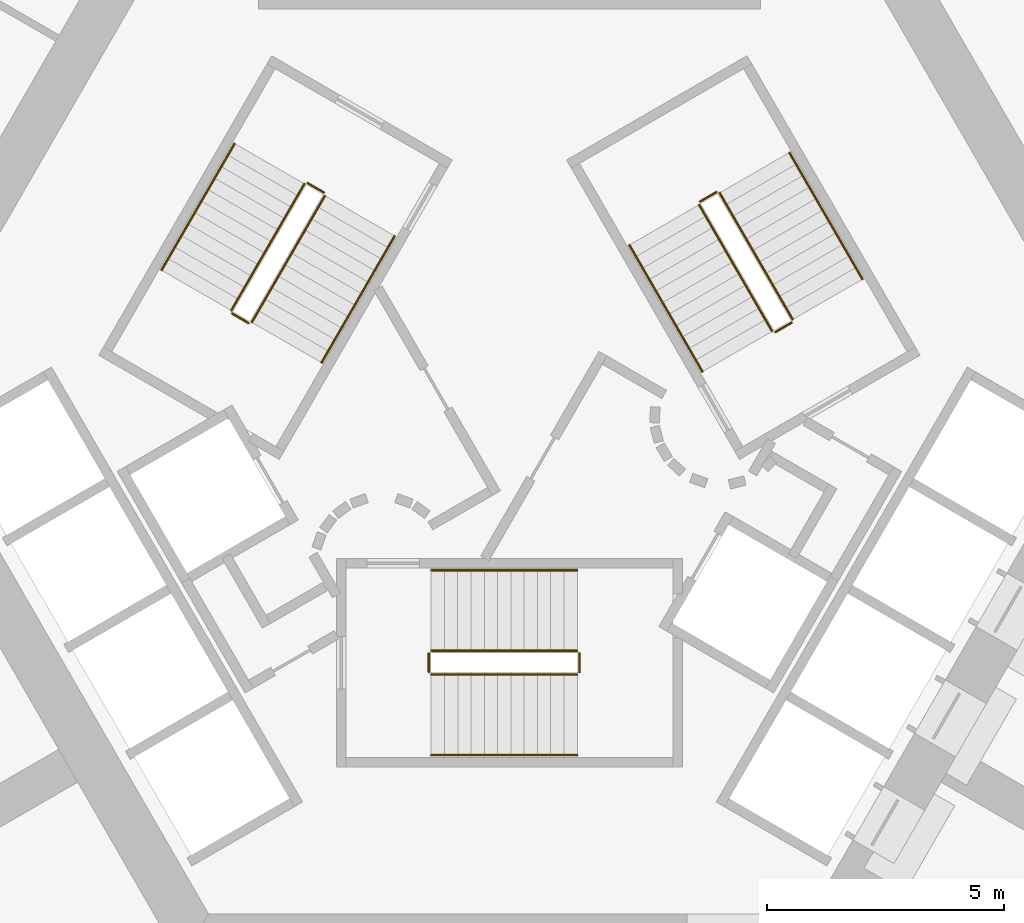
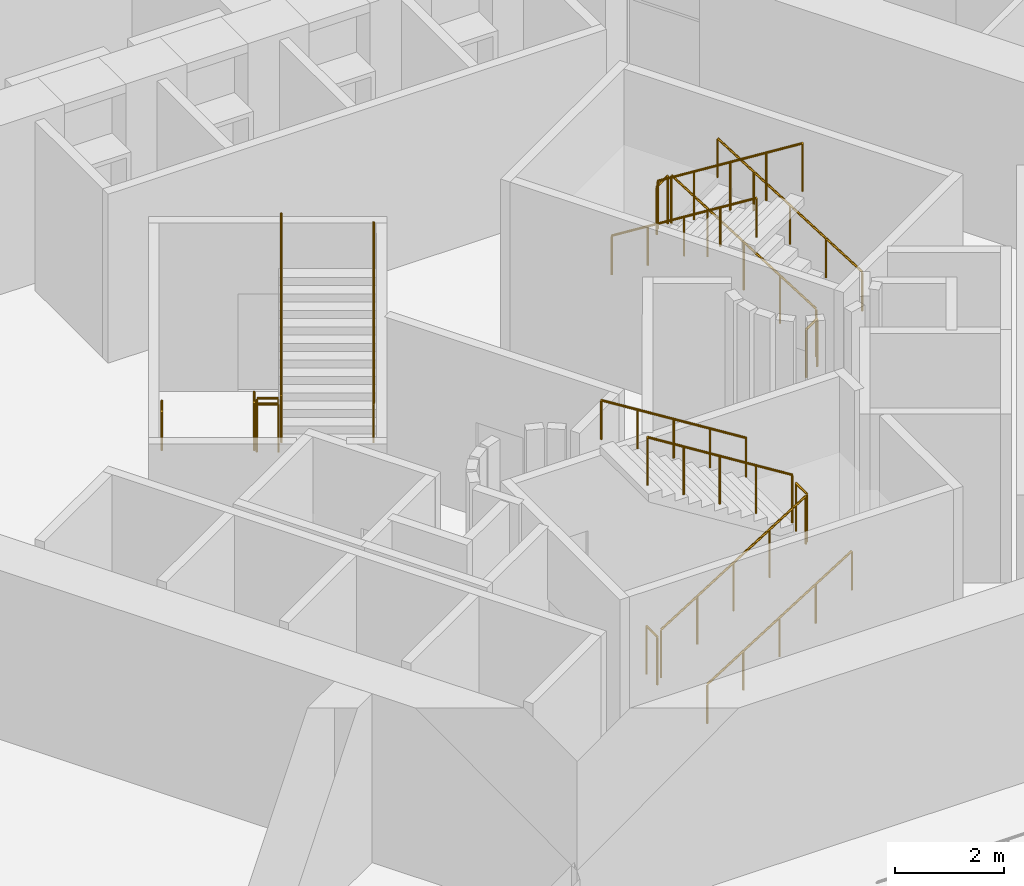
# One storey, part 15 of 15: 18 railings.
"""IFC4 building model written with IfcOpenShell, lengths in metres."""

from ifc_helpers import new_model, si_unit, direction, frame, origin, origin_2d, place, context, subcontext, project, spatial, circle, extrude, material, type_object, element, save


model = new_model("IFC4")

# Units and contexts
model_context = context("Model", 3, precision=1e-05, world=origin(), true_north=direction((0.0, 1.0)))
body_context = subcontext(model_context, "Body", "Model", "MODEL_VIEW")
ifc_project = project(units=[si_unit("LENGTHUNIT", "METRE"), si_unit("AREAUNIT", "SQUARE_METRE"), si_unit("VOLUMEUNIT", "CUBIC_METRE"), si_unit("PLANEANGLEUNIT", "RADIAN"), si_unit("MASSUNIT", "GRAM", prefix="KILO")], contexts=[model_context])

# Site, building, storey
site_placement = place(None, origin())
site = spatial("IfcSite", under=ifc_project, at=site_placement, CompositionType="ELEMENT")
building_placement = place(site_placement, origin())
building = spatial("IfcBuilding", under=site, at=building_placement, Name="Entoto Arch Interchange Tower", CompositionType="ELEMENT")
storey_placement = place(building_placement, frame((0.0, 0.0, 39.199951171875)))
storey = spatial("IfcBuildingStorey", under=building, at=storey_placement, Name="L07", CompositionType="ELEMENT", Elevation=39.199951171875)

# Railings
ifc_material = material(Name="Stainless steel 1.4301", Category="steel")
railing_type_1 = type_object("IfcRailingType", Name="STAIR GUARD 1100 STEEL", PredefinedType="GUARDRAIL", material=ifc_material)
railing_1_placement = place(storey_placement, frame((-1.64990234375, -3.449951171875, 0.175048828125)))
element("IfcRailing", 1, at=railing_1_placement, inside=storey, type_object=railing_type_1, Name="L07 ST-S stair guard 1", PredefinedType="GUARDRAIL", context=body_context, shape_type="SweptSolid", body=[
    extrude(circle(Radius=0.02392578125, at=origin_2d()), frame((0.0, 0.0, 1.076171875), z_axis=(0.847979421464, 0.0, 0.530029150871), x_axis=(0.0, 1.0, 0.0)), (0.0, 0.0, 1.0), 3.632080078125),
    extrude(circle(Radius=0.02099609375, at=origin_2d()), origin(), (0.0, 0.0, 1.0), 1.052001953125),
    extrude(circle(Radius=0.02099609375, at=origin_2d()), frame((0.77001953125, 0.0, 0.481201171875)), (0.0, 0.0, 1.0), 1.052001953125),
    extrude(circle(Radius=0.02099609375, at=origin_2d()), frame((1.5400390625, 0.0, 0.96240234375)), (0.0, 0.0, 1.0), 1.052001953125),
    extrude(circle(Radius=0.02099609375, at=origin_2d()), frame((2.309814453125, 0.0, 1.44384765625)), (0.0, 0.0, 1.0), 1.052001953125),
    extrude(circle(Radius=0.02099609375, at=origin_2d()), frame((3.079833984375, 0.0, 1.925048828125)), (0.0, 0.0, 1.0), 1.052001953125),
])
railing_2_placement = place(storey_placement, frame((1.47998046875, -3.39990234375, 2.10009765625)))
element("IfcRailing", 2, at=railing_2_placement, inside=storey, type_object=railing_type_1, Name="L07 ST-S stair guard 2", PredefinedType="GUARDRAIL", context=body_context, shape_type="SweptSolid", body=[
    extrude(circle(Radius=0.02392578125, at=origin_2d()), frame((0.0, 0.0, 1.076171875), z_axis=(0.0, 1.0, 0.0), x_axis=(-1.0, 0.0, 0.0)), (0.0, 0.0, 1.0), 0.39990234375),
    extrude(circle(Radius=0.02099609375, at=origin_2d()), origin(), (0.0, 0.0, 1.0), 1.052001953125),
    extrude(circle(Radius=0.02099609375, at=origin_2d()), frame((0.0, 0.39990234375, 0.0)), (0.0, 0.0, 1.0), 1.052001953125),
])
railing_3_placement = place(storey_placement, frame((1.429931640625, -2.949951171875, 2.275146484375)))
element("IfcRailing", 3, at=railing_3_placement, inside=storey, type_object=railing_type_1, Name="L07 ST-S stair guard 3", PredefinedType="GUARDRAIL", context=body_context, shape_type="SweptSolid", body=[
    extrude(circle(Radius=0.02392578125, at=origin_2d()), frame((0.0, 0.0, 1.076171875), z_axis=(-0.848009633417, 0.0, 0.529980812513), x_axis=(0.0, -1.0, 0.0)), (0.0, 0.0, 1.0), 3.6318359375),
    extrude(circle(Radius=0.02099609375, at=origin_2d()), origin(), (0.0, 0.0, 1.0), 1.052001953125),
    extrude(circle(Radius=0.02099609375, at=origin_2d()), frame((-0.77001953125, 0.0, 0.481201171875)), (0.0, 0.0, 1.0), 1.052001953125),
    extrude(circle(Radius=0.02099609375, at=origin_2d()), frame((-1.5400390625, 0.0, 0.96240234375)), (0.0, 0.0, 1.0), 1.052001953125),
    extrude(circle(Radius=0.02099609375, at=origin_2d()), frame((-2.309814453125, 0.0, 1.443603515625)), (0.0, 0.0, 1.0), 1.052001953125),
    extrude(circle(Radius=0.02099609375, at=origin_2d()), frame((-3.079833984375, 0.0, 1.9248046875)), (0.0, 0.0, 1.0), 1.052001953125),
])
railing_4_placement = place(storey_placement, frame((-1.699951171875, -3.39990234375, 0.0)))
element("IfcRailing", 4, at=railing_4_placement, inside=storey, type_object=railing_type_1, Name="L07 ST-S stair guard 4", PredefinedType="GUARDRAIL", context=body_context, shape_type="SweptSolid", body=[
    extrude(circle(Radius=0.02392578125, at=origin_2d()), frame((0.0, 0.0, 1.076171875), z_axis=(0.0, 1.0, 0.0), x_axis=(-1.0, 0.0, 0.0)), (0.0, 0.0, 1.0), 0.39990234375),
    extrude(circle(Radius=0.02099609375, at=origin_2d()), origin(), (0.0, 0.0, 1.0), 1.052001953125),
    extrude(circle(Radius=0.02099609375, at=origin_2d()), frame((0.0, 0.39990234375, 0.0)), (0.0, 0.0, 1.0), 1.052001953125),
])
railing_5_placement = place(storey_placement, frame((5.977783203125, 4.046142578125, 0.175048828125)))
element("IfcRailing", 5, at=railing_5_placement, inside=storey, type_object=railing_type_1, Name="L07 ST-NE stair guard 1", PredefinedType="GUARDRAIL", context=body_context, shape_type="SweptSolid", body=[
    extrude(circle(Radius=0.02392578125, at=origin_2d()), frame((0.0, 0.0, 1.076171875), z_axis=(-0.424015404183, 0.734364028329, 0.530019255228), x_axis=(-0.866010015463, -0.500026652407, 0.0)), (0.0, 0.0, 1.0), 3.632080078125),
    extrude(circle(Radius=0.02099609375, at=origin_2d()), origin(), (0.0, 0.0, 1.0), 1.052001953125),
    extrude(circle(Radius=0.02099609375, at=origin_2d()), frame((-0.385009765625, 0.666748046875, 0.481201171875)), (0.0, 0.0, 1.0), 1.052001953125),
    extrude(circle(Radius=0.02099609375, at=origin_2d()), frame((-0.77001953125, 1.33349609375, 0.96240234375)), (0.0, 0.0, 1.0), 1.052001953125),
    extrude(circle(Radius=0.02099609375, at=origin_2d()), frame((-1.155029296875, 2.00048828125, 1.44384765625)), (0.0, 0.0, 1.0), 1.052001953125),
    extrude(circle(Radius=0.02099609375, at=origin_2d()), frame((-1.5400390625, 2.667236328125, 1.925048828125)), (0.0, 0.0, 1.0), 1.052001953125),
])
railing_6_placement = place(storey_placement, frame((4.36962890625, 6.731689453125, 2.10009765625)))
element("IfcRailing", 6, at=railing_6_placement, inside=storey, type_object=railing_type_1, Name="L07 ST-NE stair guard 2", PredefinedType="GUARDRAIL", context=body_context, shape_type="SweptSolid", body=[
    extrude(circle(Radius=0.02392578125, at=origin_2d()), frame((0.0, 0.0, 1.076171875), z_axis=(-0.866094119867, -0.499880961361, 0.0), x_axis=(0.499880961361, -0.866094119867, 0.0)), (0.0, 0.0, 1.0), 0.39990234375),
    extrude(circle(Radius=0.02099609375, at=origin_2d()), origin(), (0.0, 0.0, 1.0), 1.052001953125),
    extrude(circle(Radius=0.02099609375, at=origin_2d()), frame((-0.346435546875, -0.199951171875, 0.0)), (0.0, 0.0, 1.0), 1.052001953125),
])
railing_7_placement = place(storey_placement, frame((4.0048828125, 6.46337890625, 2.275146484375)))
element("IfcRailing", 7, at=railing_7_placement, inside=storey, type_object=railing_type_1, Name="L07 ST-NE stair guard 3", PredefinedType="GUARDRAIL", context=body_context, shape_type="SweptSolid", body=[
    extrude(circle(Radius=0.02392578125, at=origin_2d()), frame((0.0, 0.0, 1.076171875), z_axis=(0.42403051051, -0.734390191396, 0.529970917068), x_axis=(0.866010015463, 0.500026652407, 0.0)), (0.0, 0.0, 1.0), 3.6318359375),
    extrude(circle(Radius=0.02099609375, at=origin_2d()), origin(), (0.0, 0.0, 1.0), 1.052001953125),
    extrude(circle(Radius=0.02099609375, at=origin_2d()), frame((0.385009765625, -0.666748046875, 0.481201171875)), (0.0, 0.0, 1.0), 1.052001953125),
    extrude(circle(Radius=0.02099609375, at=origin_2d()), frame((0.77001953125, -1.33349609375, 0.96240234375)), (0.0, 0.0, 1.0), 1.052001953125),
    extrude(circle(Radius=0.02099609375, at=origin_2d()), frame((1.155029296875, -2.00048828125, 1.443603515625)), (0.0, 0.0, 1.0), 1.052001953125),
    extrude(circle(Radius=0.02099609375, at=origin_2d()), frame((1.5400390625, -2.667236328125, 1.9248046875)), (0.0, 0.0, 1.0), 1.052001953125),
])
railing_8_placement = place(storey_placement, frame((5.95947265625, 3.977783203125, 0.0)))
element("IfcRailing", 8, at=railing_8_placement, inside=storey, type_object=railing_type_1, Name="L07 ST-NE stair guard 4", PredefinedType="GUARDRAIL", context=body_context, shape_type="SweptSolid", body=[
    extrude(circle(Radius=0.02392578125, at=origin_2d()), frame((0.0, 0.0, 1.076171875), z_axis=(-0.866094119867, -0.499880961361, 0.0), x_axis=(0.499880961361, -0.866094119867, 0.0)), (0.0, 0.0, 1.0), 0.39990234375),
    extrude(circle(Radius=0.02099609375, at=origin_2d()), origin(), (0.0, 0.0, 1.0), 1.052001953125),
    extrude(circle(Radius=0.02099609375, at=origin_2d()), frame((-0.346435546875, -0.199951171875, 0.0)), (0.0, 0.0, 1.0), 1.052001953125),
])
railing_9_placement = place(storey_placement, frame((-4.327880859375, 6.904052734375, 0.175048828125)))
element("IfcRailing", 9, at=railing_9_placement, inside=storey, type_object=railing_type_1, Name="L07 ST-NW stair guard 1", PredefinedType="GUARDRAIL", context=body_context, shape_type="SweptSolid", body=[
    extrude(circle(Radius=0.02392578125, at=origin_2d()), frame((0.0, 0.0, 1.076171875), z_axis=(-0.423994474112, -0.734394994316, 0.52999309264), x_axis=(0.866029832698, -0.499992328818, 0.0)), (0.0, 0.0, 1.0), 3.63232421875),
    extrude(circle(Radius=0.02099609375, at=origin_2d()), origin(), (0.0, 0.0, 1.0), 1.052001953125),
    extrude(circle(Radius=0.02099609375, at=origin_2d()), frame((-0.385009765625, -0.6669921875, 0.481201171875)), (0.0, 0.0, 1.0), 1.052001953125),
    extrude(circle(Radius=0.02099609375, at=origin_2d()), frame((-0.77001953125, -1.333740234375, 0.96240234375)), (0.0, 0.0, 1.0), 1.052001953125),
    extrude(circle(Radius=0.02099609375, at=origin_2d()), frame((-1.155029296875, -2.00048828125, 1.44384765625)), (0.0, 0.0, 1.0), 1.052001953125),
    extrude(circle(Radius=0.02099609375, at=origin_2d()), frame((-1.5400390625, -2.66748046875, 1.925048828125)), (0.0, 0.0, 1.0), 1.052001953125),
])
railing_10_placement = place(storey_placement, frame((-5.849609375, 4.168212890625, 2.10009765625)))
element("IfcRailing", 10, at=railing_10_placement, inside=storey, type_object=railing_type_1, Name="L07 ST-NW stair guard 2", PredefinedType="GUARDRAIL", context=body_context, shape_type="SweptSolid", body=[
    extrude(circle(Radius=0.02392578125, at=origin_2d()), frame((0.0, 0.0, 1.076171875), z_axis=(0.866094119867, -0.499880961361, 0.0), x_axis=(0.499880961361, 0.866094119867, 0.0)), (0.0, 0.0, 1.0), 0.39990234375),
    extrude(circle(Radius=0.02099609375, at=origin_2d()), origin(), (0.0, 0.0, 1.0), 1.052001953125),
    extrude(circle(Radius=0.02099609375, at=origin_2d()), frame((0.346435546875, -0.199951171875, 0.0)), (0.0, 0.0, 1.0), 1.052001953125),
])
railing_11_placement = place(storey_placement, frame((-5.434814453125, 3.986572265625, 2.275146484375)))
element("IfcRailing", 11, at=railing_11_placement, inside=storey, type_object=railing_type_1, Name="L07 ST-NW stair guard 3", PredefinedType="GUARDRAIL", context=body_context, shape_type="SweptSolid", body=[
    extrude(circle(Radius=0.02392578125, at=origin_2d()), frame((0.0, 0.0, 1.076171875), z_axis=(0.424009578203, 0.734421155904, 0.529944755001), x_axis=(-0.866029832698, 0.499992328818, 0.0)), (0.0, 0.0, 1.0), 3.632080078125),
    extrude(circle(Radius=0.02099609375, at=origin_2d()), origin(), (0.0, 0.0, 1.0), 1.052001953125),
    extrude(circle(Radius=0.02099609375, at=origin_2d()), frame((0.385009765625, 0.6669921875, 0.481201171875)), (0.0, 0.0, 1.0), 1.052001953125),
    extrude(circle(Radius=0.02099609375, at=origin_2d()), frame((0.77001953125, 1.333740234375, 0.96240234375)), (0.0, 0.0, 1.0), 1.052001953125),
    extrude(circle(Radius=0.02099609375, at=origin_2d()), frame((1.155029296875, 2.00048828125, 1.443603515625)), (0.0, 0.0, 1.0), 1.052001953125),
    extrude(circle(Radius=0.02099609375, at=origin_2d()), frame((1.5400390625, 2.66748046875, 1.9248046875)), (0.0, 0.0, 1.0), 1.052001953125),
])
railing_12_placement = place(storey_placement, frame((-4.259521484375, 6.92236328125, 0.0)))
element("IfcRailing", 12, at=railing_12_placement, inside=storey, type_object=railing_type_1, Name="L07 ST-NW stair guard 4", PredefinedType="GUARDRAIL", context=body_context, shape_type="SweptSolid", body=[
    extrude(circle(Radius=0.02392578125, at=origin_2d()), frame((0.0, 0.0, 1.076171875), z_axis=(0.865829829939, -0.500338590944, 0.0), x_axis=(0.500338590944, 0.865829829939, 0.0)), (0.0, 0.0, 1.0), 0.400146484375),
    extrude(circle(Radius=0.02099609375, at=origin_2d()), origin(), (0.0, 0.0, 1.0), 1.052001953125),
    extrude(circle(Radius=0.02099609375, at=origin_2d()), frame((0.346435546875, -0.2001953125, 0.0)), (0.0, 0.0, 1.0), 1.052001953125),
])
railing_type_2 = type_object("IfcRailingType", Name="STAIR HANDRAIL 900 STEEL", PredefinedType="HANDRAIL", material=ifc_material)
railing_13_placement = place(storey_placement, frame((-1.64990234375, -5.14990234375, 0.175048828125)))
element("IfcRailing", 13, at=railing_13_placement, inside=storey, type_object=railing_type_2, Name="L07 ST-S stair handrail 1", PredefinedType="HANDRAIL", context=body_context, shape_type="SweptSolid", body=[
    extrude(circle(Radius=0.02392578125, at=origin_2d()), frame((0.0, 0.0, 0.8759765625), z_axis=(0.847979421464, 0.0, 0.530029150871), x_axis=(0.0, 1.0, 0.0)), (0.0, 0.0, 1.0), 3.632080078125),
    extrude(circle(Radius=0.02099609375, at=origin_2d()), origin(), (0.0, 0.0, 1.0), 0.851806640625),
    extrude(circle(Radius=0.02099609375, at=origin_2d()), frame((0.77001953125, 0.0, 0.481201171875)), (0.0, 0.0, 1.0), 0.851806640625),
    extrude(circle(Radius=0.02099609375, at=origin_2d()), frame((1.5400390625, 0.0, 0.96240234375)), (0.0, 0.0, 1.0), 0.851806640625),
    extrude(circle(Radius=0.02099609375, at=origin_2d()), frame((2.309814453125, 0.0, 1.44384765625)), (0.0, 0.0, 1.0), 0.851806640625),
    extrude(circle(Radius=0.02099609375, at=origin_2d()), frame((3.079833984375, 0.0, 1.925048828125)), (0.0, 0.0, 1.0), 0.851806640625),
])
railing_14_placement = place(storey_placement, frame((1.429931640625, -1.25, 2.275146484375)))
element("IfcRailing", 14, at=railing_14_placement, inside=storey, type_object=railing_type_2, Name="L07 ST-S stair handrail 2", PredefinedType="HANDRAIL", context=body_context, shape_type="SweptSolid", body=[
    extrude(circle(Radius=0.02392578125, at=origin_2d()), frame((0.0, 0.0, 0.8759765625), z_axis=(-0.848009633417, 0.0, 0.529980812513), x_axis=(0.0, -1.0, 0.0)), (0.0, 0.0, 1.0), 3.6318359375),
    extrude(circle(Radius=0.02099609375, at=origin_2d()), origin(), (0.0, 0.0, 1.0), 0.851806640625),
    extrude(circle(Radius=0.02099609375, at=origin_2d()), frame((-0.77001953125, 0.0, 0.481201171875)), (0.0, 0.0, 1.0), 0.851806640625),
    extrude(circle(Radius=0.02099609375, at=origin_2d()), frame((-1.5400390625, 0.0, 0.96240234375)), (0.0, 0.0, 1.0), 0.851806640625),
    extrude(circle(Radius=0.02099609375, at=origin_2d()), frame((-2.309814453125, 0.0, 1.443603515625)), (0.0, 0.0, 1.0), 0.851806640625),
    extrude(circle(Radius=0.02099609375, at=origin_2d()), frame((-3.079833984375, 0.0, 1.9248046875)), (0.0, 0.0, 1.0), 0.851806640625),
])
railing_15_placement = place(storey_placement, frame((7.4501953125, 4.89599609375, 0.175048828125)))
element("IfcRailing", 15, at=railing_15_placement, inside=storey, type_object=railing_type_2, Name="L07 ST-NE stair handrail 1", PredefinedType="HANDRAIL", context=body_context, shape_type="SweptSolid", body=[
    extrude(circle(Radius=0.02392578125, at=origin_2d()), frame((0.0, 0.0, 0.8759765625), z_axis=(-0.423994474112, 0.734394994316, 0.52999309264), x_axis=(-0.866029832698, -0.499992328818, 0.0)), (0.0, 0.0, 1.0), 3.63232421875),
    extrude(circle(Radius=0.02099609375, at=origin_2d()), origin(), (0.0, 0.0, 1.0), 0.851806640625),
    extrude(circle(Radius=0.02099609375, at=origin_2d()), frame((-0.385009765625, 0.6669921875, 0.481201171875)), (0.0, 0.0, 1.0), 0.851806640625),
    extrude(circle(Radius=0.02099609375, at=origin_2d()), frame((-0.77001953125, 1.333740234375, 0.96240234375)), (0.0, 0.0, 1.0), 0.851806640625),
    extrude(circle(Radius=0.02099609375, at=origin_2d()), frame((-1.155029296875, 2.00048828125, 1.44384765625)), (0.0, 0.0, 1.0), 0.851806640625),
    extrude(circle(Radius=0.02099609375, at=origin_2d()), frame((-1.5400390625, 2.66748046875, 1.925048828125)), (0.0, 0.0, 1.0), 0.851806640625),
])
railing_16_placement = place(storey_placement, frame((2.53271484375, 5.613525390625, 2.275146484375)))
element("IfcRailing", 16, at=railing_16_placement, inside=storey, type_object=railing_type_2, Name="L07 ST-NE stair handrail 2", PredefinedType="HANDRAIL", context=body_context, shape_type="SweptSolid", body=[
    extrude(circle(Radius=0.02392578125, at=origin_2d()), frame((0.0, 0.0, 0.8759765625), z_axis=(0.423954442778, -0.734442086855, 0.52995985839), x_axis=(0.866064153644, 0.499932877268, 0.0)), (0.0, 0.0, 1.0), 3.632080078125),
    extrude(circle(Radius=0.02099609375, at=origin_2d()), origin(), (0.0, 0.0, 1.0), 0.851806640625),
    extrude(circle(Radius=0.02099609375, at=origin_2d()), frame((0.385009765625, -0.6669921875, 0.481201171875)), (0.0, 0.0, 1.0), 0.851806640625),
    extrude(circle(Radius=0.02099609375, at=origin_2d()), frame((0.77001953125, -1.333740234375, 0.96240234375)), (0.0, 0.0, 1.0), 0.851806640625),
    extrude(circle(Radius=0.02099609375, at=origin_2d()), frame((1.15478515625, -2.00048828125, 1.443603515625)), (0.0, 0.0, 1.0), 0.851806640625),
    extrude(circle(Radius=0.02099609375, at=origin_2d()), frame((1.539794921875, -2.66748046875, 1.9248046875)), (0.0, 0.0, 1.0), 0.851806640625),
])
railing_17_placement = place(storey_placement, frame((-5.800048828125, 7.75390625, 0.175048828125)))
element("IfcRailing", 17, at=railing_17_placement, inside=storey, type_object=railing_type_2, Name="L07 ST-NW stair handrail 1", PredefinedType="HANDRAIL", context=body_context, shape_type="SweptSolid", body=[
    extrude(circle(Radius=0.02392578125, at=origin_2d()), frame((0.0, 0.0, 0.8759765625), z_axis=(-0.424015404183, -0.734364028329, 0.530019255228), x_axis=(0.866010015463, -0.500026652407, 0.0)), (0.0, 0.0, 1.0), 3.632080078125),
    extrude(circle(Radius=0.02099609375, at=origin_2d()), origin(), (0.0, 0.0, 1.0), 0.851806640625),
    extrude(circle(Radius=0.02099609375, at=origin_2d()), frame((-0.385009765625, -0.666748046875, 0.481201171875)), (0.0, 0.0, 1.0), 0.851806640625),
    extrude(circle(Radius=0.02099609375, at=origin_2d()), frame((-0.77001953125, -1.33349609375, 0.96240234375)), (0.0, 0.0, 1.0), 0.851806640625),
    extrude(circle(Radius=0.02099609375, at=origin_2d()), frame((-1.155029296875, -2.00048828125, 1.44384765625)), (0.0, 0.0, 1.0), 0.851806640625),
    extrude(circle(Radius=0.02099609375, at=origin_2d()), frame((-1.5400390625, -2.667236328125, 1.925048828125)), (0.0, 0.0, 1.0), 0.851806640625),
])
railing_18_placement = place(storey_placement, frame((-3.962646484375, 3.136474609375, 2.275146484375)))
element("IfcRailing", 18, at=railing_18_placement, inside=storey, type_object=railing_type_2, Name="L07 ST-NW stair handrail 2", PredefinedType="HANDRAIL", context=body_context, shape_type="SweptSolid", body=[
    extrude(circle(Radius=0.02392578125, at=origin_2d()), frame((0.0, 0.0, 0.8759765625), z_axis=(0.424009578203, 0.734421155904, 0.529944755001), x_axis=(-0.866029832698, 0.499992328818, 0.0)), (0.0, 0.0, 1.0), 3.632080078125),
    extrude(circle(Radius=0.02099609375, at=origin_2d()), origin(), (0.0, 0.0, 1.0), 0.851806640625),
    extrude(circle(Radius=0.02099609375, at=origin_2d()), frame((0.385009765625, 0.6669921875, 0.481201171875)), (0.0, 0.0, 1.0), 0.851806640625),
    extrude(circle(Radius=0.02099609375, at=origin_2d()), frame((0.77001953125, 1.333740234375, 0.96240234375)), (0.0, 0.0, 1.0), 0.851806640625),
    extrude(circle(Radius=0.02099609375, at=origin_2d()), frame((1.155029296875, 2.00048828125, 1.443603515625)), (0.0, 0.0, 1.0), 0.851806640625),
    extrude(circle(Radius=0.02099609375, at=origin_2d()), frame((1.5400390625, 2.66748046875, 1.9248046875)), (0.0, 0.0, 1.0), 0.851806640625),
])

save(model, "model.ifc")
